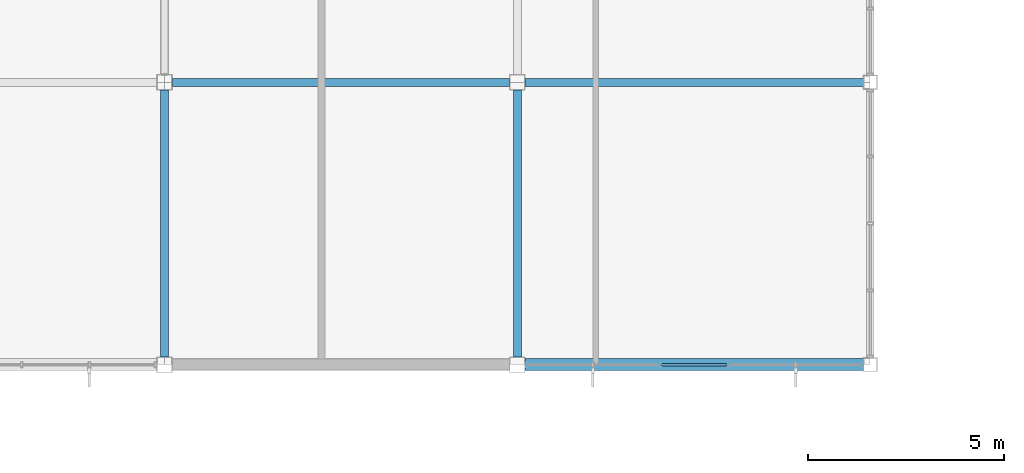
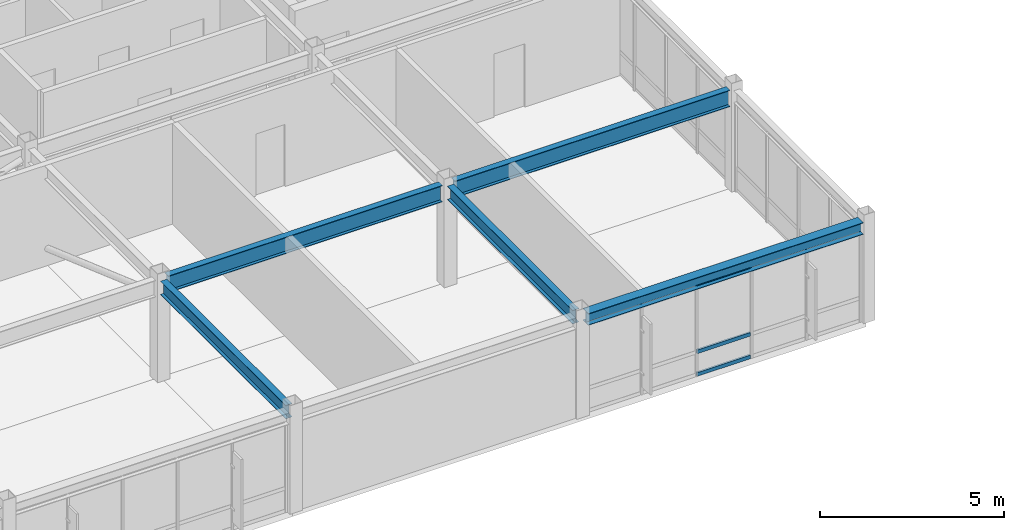
# One storey, part 9 of 34: 5 beams, 3 members, 1 element without a shape of its own.
"""IFC4 building model written with IfcOpenShell, lengths in metres."""

from ifc_helpers import new_model, si_unit, direction, frame, origin, origin_2d, place, context, subcontext, project, spatial, hollow_rectangle, i_section, extrude, material, material_profile, profile_set, type_object, element, aggregate, save


model = new_model("IFC4")

# Units and contexts
model_context = context("Model", 3, precision=1e-05, world=origin(), true_north=direction((0.0, 1.0)))
body_context = subcontext(model_context, "Body", "Model", "MODEL_VIEW")
ifc_project = project(units=[si_unit("LENGTHUNIT", "METRE"), si_unit("AREAUNIT", "SQUARE_METRE"), si_unit("VOLUMEUNIT", "CUBIC_METRE"), si_unit("PLANEANGLEUNIT", "RADIAN"), si_unit("MASSUNIT", "GRAM", prefix="KILO")], contexts=[model_context])

# Site, building, storey
site_placement = place(None, origin())
site = spatial("IfcSite", under=ifc_project, at=site_placement, CompositionType="ELEMENT")
building_placement = place(site_placement, origin())
building = spatial("IfcBuilding", under=site, at=building_placement, Name="Kazanami Central Library", CompositionType="ELEMENT")
storey_placement = place(building_placement, frame((0.0, 0.0, 17.0)))
storey = spatial("IfcBuildingStorey", under=building, at=storey_placement, Name="L05", CompositionType="ELEMENT", Elevation=17.0)

# Beams
ifc_material_1 = material(Name="Steel SN490B (325 MPa)", Category="steel")
ifc_material_profile_1 = material_profile(ifc_material_1, i_section(OverallWidth=0.199951171875, OverallDepth=0.550048828125, WebThickness=0.010009765625, FlangeThickness=0.01611328125, at=origin_2d()), Name="H-550x200x10x16")
ifc_profile_set_1 = profile_set([ifc_material_profile_1], Name="Steel SN490B (325 MPa)")
beam_type_1 = type_object("IfcBeamType", Name="BM-G-X3", PredefinedType="BEAM", material=ifc_profile_set_1)
beam_1_placement = place(storey_placement, frame((18.197998046875, 72.0, 3.06494140625), z_axis=(1.0, 0.0, 0.0), x_axis=(0.0, 1.0, 0.0)))
element("IfcBeam", 1, at=beam_1_placement, inside=storey, type_object=beam_type_1, Name="Girder G-X3 L05 L/3-4", PredefinedType="BEAM", context=body_context, shape_type="SweptSolid", body=[
    extrude(i_section(OverallWidth=0.199951171875, OverallDepth=0.550048828125, WebThickness=0.010009765625, FlangeThickness=0.01611328125, at=origin_2d()), origin(), (0.0, 0.0, 1.0), 8.60400390625),
])
beam_2_placement = place(storey_placement, frame((27.197998046875, 72.0, 3.06494140625), z_axis=(1.0, 0.0, 0.0), x_axis=(0.0, 1.0, 0.0)))
element("IfcBeam", 2, at=beam_2_placement, inside=storey, type_object=beam_type_1, Name="Girder G-X3 L05 L/4-5", PredefinedType="BEAM", context=body_context, shape_type="SweptSolid", body=[
    extrude(i_section(OverallWidth=0.199951171875, OverallDepth=0.550048828125, WebThickness=0.010009765625, FlangeThickness=0.01611328125, at=origin_2d()), origin(), (0.0, 0.0, 1.0), 8.62890625),
])
ifc_material_profile_2 = material_profile(ifc_material_1, i_section(OverallWidth=0.199951171875, OverallDepth=0.449951171875, WebThickness=0.009033203125, FlangeThickness=0.013916015625, at=origin_2d()), Name="H-450x200x9x14")
ifc_profile_set_2 = profile_set([ifc_material_profile_2], Name="Steel SN490B (325 MPa)")
beam_type_2 = type_object("IfcBeamType", Name="BM-G-Y3", PredefinedType="BEAM", material=ifc_profile_set_2)
for number, where, z_axis, x_axis, name in (
    (3, (18.0, 64.998046875, 3.114990234375), (0.0, 1.0, 0.0), (-1.0, 0.0, 0.0), "Girder G-Y3 L05 3/K-L"),
    (4, (27.0, 64.998046875, 3.114990234375), (0.0, 1.0, 0.0), (-1.0, 0.0, 0.0), "Girder G-Y3 L05 4/K-L"),
):
    element("IfcBeam", number, at=place(storey_placement, frame(where, z_axis=z_axis, x_axis=x_axis)), inside=storey, type_object=beam_type_2, Name=name, PredefinedType="BEAM", context=body_context, shape_type="SweptSolid", body=[
        extrude(i_section(OverallWidth=0.199951171875, OverallDepth=0.449951171875, WebThickness=0.009033203125, FlangeThickness=0.013916015625, at=origin_2d()), origin(), (0.0, 0.0, 1.0), 6.803955078125),
    ])
ifc_material_profile_3 = material_profile(ifc_material_1, i_section(OverallWidth=0.300048828125, OverallDepth=0.389892578125, WebThickness=0.010009765625, FlangeThickness=0.01611328125, at=origin_2d()), Name="H-390x300x10x16")
ifc_profile_set_3 = profile_set([ifc_material_profile_3], Name="Steel SN490B (325 MPa)")
beam_type_3 = type_object("IfcBeamType", Name="BM-SP-4", PredefinedType="SPANDREL", material=ifc_profile_set_3)
beam_3_placement = place(storey_placement, frame((27.197998046875, 64.800048828125, 3.14501953125), z_axis=(1.0, 0.0, 0.0), x_axis=(0.0, 1.0, 0.0)))
element("IfcBeam", 5, at=beam_3_placement, inside=storey, type_object=beam_type_3, Name="Girder SP-4 L05 K/4-5", PredefinedType="SPANDREL", context=body_context, shape_type="SweptSolid", body=[
    extrude(i_section(OverallWidth=0.300048828125, OverallDepth=0.389892578125, WebThickness=0.010009765625, FlangeThickness=0.01611328125, at=origin_2d()), origin(), (0.0, 0.0, 1.0), 8.62890625),
])

# Curtain wall, members
ifc_material_2 = material(Name="Acid-Etched Low-E Laminated Glass", Category="glass")
curtain_wall_type = type_object("IfcCurtainWallType", Name="CW-8625x2950-M180", PredefinedType="USERDEFINED", material=ifc_material_2)
curtain_wall_placement = place(storey_placement, origin())
curtain_wall = element("IfcCurtainWall", 6, at=curtain_wall_placement, inside=storey, type_object=curtain_wall_type, Name="Unitised Curtain Wall CW-51 L05 S-K-03", ObjectType="UNITISED CURTAIN WALL", PredefinedType="USERDEFINED")
ifc_material_3 = material(Name="Anodised Aluminium A6063-T5", Category="aluminium")
ifc_material_profile_4 = material_profile(ifc_material_3, hollow_rectangle(XDim=0.06005859375, YDim=0.1201171875, WallThickness=0.00341796875, at=origin_2d()), Name="ALU-TRAN-60x120x3.5")
ifc_profile_set_4 = profile_set([ifc_material_profile_4], Name="Anodised Aluminium A6063-T5")
member_type = type_object("IfcMemberType", Name="MEM-CW-T3", PredefinedType="USERDEFINED", material=ifc_profile_set_4)
member_1_placement = place(storey_placement, frame((30.679931640625, 64.800048828125, 0.030029296875), z_axis=(1.0, 0.0, 0.0), x_axis=(0.0, 1.0, 0.0)))
member_1 = element("IfcMember", 7, at=member_1_placement, type_object=member_type, Name="CW-51 transom 3.1", ObjectType="TRANSOM", PredefinedType="USERDEFINED", context=body_context, shape_type="SweptSolid", body=[
    extrude(hollow_rectangle(XDim=0.06005859375, YDim=0.1201171875, WallThickness=0.00341796875, at=origin_2d()), origin(), (0.0, 0.0, 1.0), 1.6650390625),
])
member_2_placement = place(storey_placement, frame((30.679931640625, 64.800048828125, 0.780029296875), z_axis=(1.0, 0.0, 0.0), x_axis=(0.0, 1.0, 0.0)))
member_2 = element("IfcMember", 8, at=member_2_placement, type_object=member_type, Name="CW-51 transom 3.2", ObjectType="TRANSOM", PredefinedType="USERDEFINED", context=body_context, shape_type="SweptSolid", body=[
    extrude(hollow_rectangle(XDim=0.06005859375, YDim=0.1201171875, WallThickness=0.00341796875, at=origin_2d()), origin(), (0.0, 0.0, 1.0), 1.6650390625),
])
member_3_placement = place(storey_placement, frame((30.679931640625, 64.800048828125, 2.919921875), z_axis=(1.0, 0.0, 0.0), x_axis=(0.0, 1.0, 0.0)))
member_3 = element("IfcMember", 9, at=member_3_placement, type_object=member_type, Name="CW-51 transom 3.3", ObjectType="TRANSOM", PredefinedType="USERDEFINED", context=body_context, shape_type="SweptSolid", body=[
    extrude(hollow_rectangle(XDim=0.06005859375, YDim=0.1201171875, WallThickness=0.00341796875, at=origin_2d()), origin(), (0.0, 0.0, 1.0), 1.6650390625),
])
aggregate(curtain_wall, [member_1, member_2, member_3])

save(model, "model.ifc")
